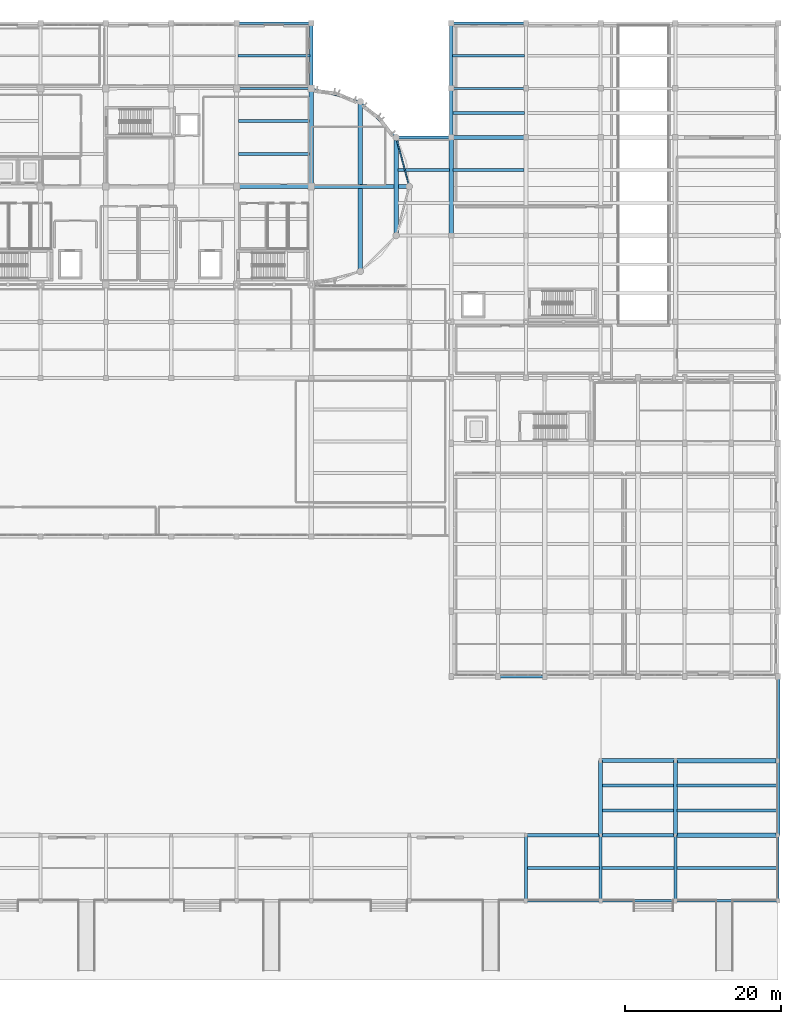
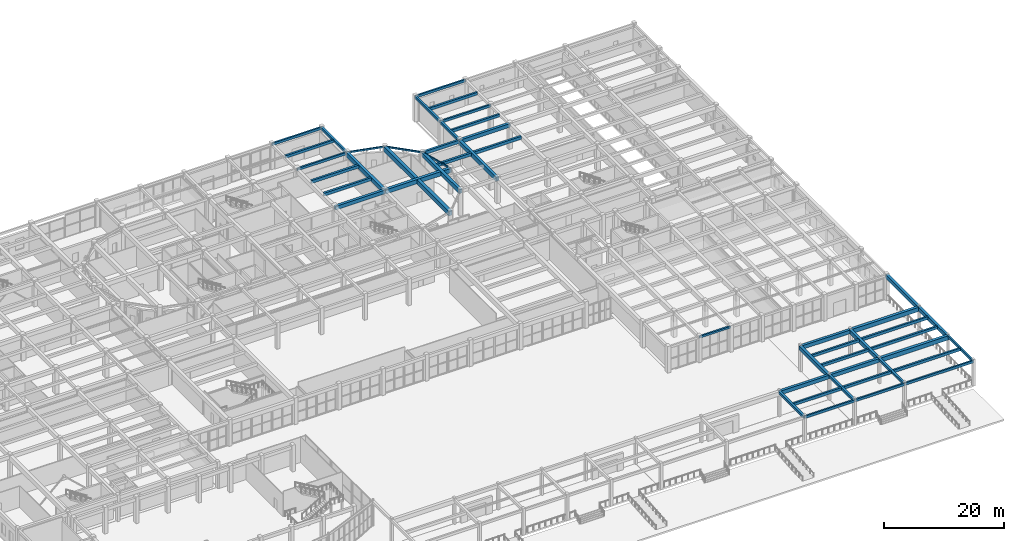
# One storey, part 45 of 98: 49 beams.
"""IFC4 building model written with IfcOpenShell, lengths in metres."""

from ifc_helpers import new_model, si_unit, direction, frame, origin, origin_2d, place, context, subcontext, project, spatial, rectangle, hollow_rectangle, extrude, material, material_profile, profile_set, type_object, element, save


model = new_model("IFC4")

# Units and contexts
model_context = context("Model", 3, precision=1e-05, world=origin(), true_north=direction((0.0, 1.0)))
body_context = subcontext(model_context, "Body", "Model", "MODEL_VIEW")
ifc_project = project(units=[si_unit("LENGTHUNIT", "METRE"), si_unit("AREAUNIT", "SQUARE_METRE"), si_unit("VOLUMEUNIT", "CUBIC_METRE"), si_unit("PLANEANGLEUNIT", "RADIAN"), si_unit("MASSUNIT", "GRAM", prefix="KILO")], contexts=[model_context])

# Site, building, storey
site_placement = place(None, origin())
site = spatial("IfcSite", under=ifc_project, at=site_placement, CompositionType="ELEMENT")
building_placement = place(site_placement, origin())
building = spatial("IfcBuilding", under=site, at=building_placement, Name="Tarnavel Promenade Courthouse", CompositionType="ELEMENT")
storey_placement = place(building_placement, origin())
storey = spatial("IfcBuildingStorey", under=building, at=storey_placement, Name="L01", CompositionType="ELEMENT", Elevation=0.0)

# Beams
ifc_material_1 = material(Name="Concrete C40/50", Category="concrete")
ifc_material_profile_1 = material_profile(ifc_material_1, rectangle(XDim=0.35009765625, YDim=0.550048828125, at=origin_2d()), Name="PT 350x550")
ifc_profile_set_1 = profile_set([ifc_material_profile_1], Name="Concrete C40/50")
beam_type_1 = type_object("IfcBeamType", Name="Concrete C40/50 BM-PT-350x550 (PT 350x550)", PredefinedType="JOIST", material=ifc_profile_set_1)
beam_1_placement = place(storey_placement, frame((129.77001953125, 4.199951171875, 4.860107421875), z_axis=(1.0, 0.0, 0.0), x_axis=(0.0, 1.0, 0.0)))
element("IfcBeam", 1, at=beam_1_placement, inside=storey, type_object=beam_type_1, Name="L01 Secondary Floor Rib 0897", PredefinedType="JOIST", context=body_context, shape_type="SweptSolid", body=[
    extrude(rectangle(XDim=0.35009765625, YDim=0.550048828125, at=origin_2d()), origin(), (0.0, 0.0, 1.0), 9.260009765625),
])
beam_2_placement = place(storey_placement, frame((139.3701171875, 4.199951171875, 4.860107421875), z_axis=(1.0, 0.0, 0.0), x_axis=(0.0, 1.0, 0.0)))
element("IfcBeam", 2, at=beam_2_placement, inside=storey, type_object=beam_type_1, Name="L01 Secondary Floor Rib 0898", PredefinedType="JOIST", context=body_context, shape_type="SweptSolid", body=[
    extrude(rectangle(XDim=0.35009765625, YDim=0.550048828125, at=origin_2d()), origin(), (0.0, 0.0, 1.0), 9.259765625),
])
beam_3_placement = place(storey_placement, frame((148.969970703125, 4.199951171875, 4.860107421875), z_axis=(1.0, 0.0, 0.0), x_axis=(0.0, 1.0, 0.0)))
element("IfcBeam", 3, at=beam_3_placement, inside=storey, type_object=beam_type_1, Name="L01 Secondary Floor Rib 0899", PredefinedType="JOIST", context=body_context, shape_type="SweptSolid", body=[
    extrude(rectangle(XDim=0.35009765625, YDim=0.550048828125, at=origin_2d()), origin(), (0.0, 0.0, 1.0), 12.909912109375),
])
for number, where, z_axis, x_axis, name in (
    (4, (139.419921875, 11.60009765625, 4.860107421875), (1.0, 0.0, 0.0), (0.0, 1.0, 0.0), "L01 Secondary Floor Rib 0900"),
    (5, (139.419921875, 14.800048828125, 4.860107421875), (1.0, 0.0, 0.0), (0.0, 1.0, 0.0), "L01 Secondary Floor Rib 0901"),
):
    element("IfcBeam", number, at=place(storey_placement, frame(where, z_axis=z_axis, x_axis=x_axis)), inside=storey, type_object=beam_type_1, Name=name, PredefinedType="JOIST", context=body_context, shape_type="SweptSolid", body=[
        extrude(rectangle(XDim=0.35009765625, YDim=0.550048828125, at=origin_2d()), origin(), (0.0, 0.0, 1.0), 9.16015625),
    ])
for number, where, z_axis, x_axis, name in (
    (6, (149.02001953125, 11.60009765625, 4.860107421875), (1.0, 0.0, 0.0), (0.0, 1.0, 0.0), "L01 Secondary Floor Rib 0902"),
    (7, (149.02001953125, 14.800048828125, 4.860107421875), (1.0, 0.0, 0.0), (0.0, 1.0, 0.0), "L01 Secondary Floor Rib 0903"),
):
    element("IfcBeam", number, at=place(storey_placement, frame(where, z_axis=z_axis, x_axis=x_axis)), inside=storey, type_object=beam_type_1, Name=name, PredefinedType="JOIST", context=body_context, shape_type="SweptSolid", body=[
        extrude(rectangle(XDim=0.35009765625, YDim=0.550048828125, at=origin_2d()), origin(), (0.0, 0.0, 1.0), 12.760009765625),
    ])
for number, where, z_axis, x_axis, name in (
    (8, (92.570068359375, 108.60009765625, 4.860107421875), (1.0, 0.0, 0.0), (0.0, 1.0, 0.0), "L01 Secondary Floor Rib 1013"),
    (9, (120.169921875, 108.60009765625, 4.860107421875), (1.0, 0.0, 0.0), (0.0, 1.0, 0.0), "L01 Secondary Floor Rib 1014"),
    (10, (120.169921875, 101.25, 4.860107421875), (1.0, 0.0, 0.0), (0.0, 1.0, 0.0), "L01 Secondary Floor Rib 1050"),
):
    element("IfcBeam", number, at=place(storey_placement, frame(where, z_axis=z_axis, x_axis=x_axis)), inside=storey, type_object=beam_type_1, Name=name, PredefinedType="JOIST", context=body_context, shape_type="SweptSolid", body=[
        extrude(rectangle(XDim=0.35009765625, YDim=0.550048828125, at=origin_2d()), origin(), (0.0, 0.0, 1.0), 9.260009765625),
    ])
ifc_material_profile_2 = material_profile(ifc_material_1, rectangle(XDim=0.39990234375, YDim=0.60009765625, at=origin_2d()), Name="PT 400x600")
ifc_profile_set_2 = profile_set([ifc_material_profile_2], Name="Concrete C40/50")
beam_type_2 = type_object("IfcBeamType", Name="Concrete C40/50 BM-PT-400x600 (PT 400x600)", PredefinedType="JOIST", material=ifc_profile_set_2)
beam_4_placement = place(storey_placement, frame((113.156982421875, 93.89990234375, 4.8349609375), z_axis=(1.0, 0.0, 0.0), x_axis=(0.0, 1.0, 0.0)))
element("IfcBeam", 11, at=beam_4_placement, inside=storey, type_object=beam_type_2, Name="L01 Secondary Floor Rib 0972", PredefinedType="JOIST", context=body_context, shape_type="SweptSolid", body=[
    extrude(rectangle(XDim=0.39990234375, YDim=0.60009765625, at=origin_2d()), origin(), (0.0, 0.0, 1.0), 6.597900390625),
])
for number, where, z_axis, x_axis, name in (
    (12, (120.2451171875, 93.89990234375, 4.8349609375), (1.0, 0.0, 0.0), (0.0, 1.0, 0.0), "L01 Secondary Floor Rib 0974"),
    (13, (92.64501953125, 96.0, 4.8349609375), (1.0, 0.0, 0.0), (0.0, 1.0, 0.0), "L01 Secondary Floor Rib 1007"),
    (14, (92.64501953125, 100.199951171875, 4.8349609375), (1.0, 0.0, 0.0), (0.0, 1.0, 0.0), "L01 Secondary Floor Rib 1008"),
):
    element("IfcBeam", number, at=place(storey_placement, frame(where, z_axis=z_axis, x_axis=x_axis)), inside=storey, type_object=beam_type_2, Name=name, PredefinedType="JOIST", context=body_context, shape_type="SweptSolid", body=[
        extrude(rectangle(XDim=0.39990234375, YDim=0.60009765625, at=origin_2d()), origin(), (0.0, 0.0, 1.0), 9.10986328125),
    ])
ifc_material_profile_3 = material_profile(ifc_material_1, rectangle(XDim=0.5, YDim=0.800048828125, at=origin_2d()), Name="PT 500x800")
ifc_profile_set_3 = profile_set([ifc_material_profile_3], Name="Concrete C40/50")
beam_type_3 = type_object("IfcBeamType", Name="Concrete C40/50 BM-PT-500x800 (PT 500x800)", PredefinedType="T_BEAM", material=ifc_profile_set_3)
for number, where, z_axis, x_axis, name in (
    (15, (139.199951171875, 8.39990234375, 4.735107421875), (0.0, 1.0, 0.0), (-1.0, 0.0, 0.0), "L01 Transverse Girder 0857"),
    (16, (148.800048828125, 8.39990234375, 4.735107421875), (0.0, 1.0, 0.0), (-1.0, 0.0, 0.0), "L01 Transverse Girder 0867"),
    (17, (162.0, 8.39990234375, 4.735107421875), (0.0, 1.0, 0.0), (-1.0, 0.0, 0.0), "L01 Transverse Girder 0880"),
):
    element("IfcBeam", number, at=place(storey_placement, frame(where, z_axis=z_axis, x_axis=x_axis)), inside=storey, type_object=beam_type_3, Name=name, PredefinedType="T_BEAM", context=body_context, shape_type="SweptSolid", body=[
        extrude(rectangle(XDim=0.5, YDim=0.800048828125, at=origin_2d()), origin(), (0.0, 0.0, 1.0), 9.60009765625),
    ])
beam_5_placement = place(storey_placement, frame((162.0, 18.0, 4.735107421875), z_axis=(0.0, 1.0, 0.0), x_axis=(-1.0, 0.0, 0.0)))
element("IfcBeam", 18, at=beam_5_placement, inside=storey, type_object=beam_type_3, Name="L01 Transverse Girder 0881", PredefinedType="T_BEAM", context=body_context, shape_type="SweptSolid", body=[
    extrude(rectangle(XDim=0.5, YDim=0.800048828125, at=origin_2d()), origin(), (0.0, 0.0, 1.0), 10.800048828125),
])
ifc_material_profile_4 = material_profile(ifc_material_1, rectangle(XDim=0.550048828125, YDim=0.85009765625, at=origin_2d()), Name="PT 550x850")
ifc_profile_set_4 = profile_set([ifc_material_profile_4], Name="Concrete C40/50")
beam_type_4 = type_object("IfcBeamType", Name="Concrete C40/50 BM-PT-550x850 (PT 550x850)", PredefinedType="T_BEAM", material=ifc_profile_set_4)
for number, where, z_axis, x_axis, name in (
    (19, (148.800048828125, 8.39990234375, 4.7099609375), (1.0, 0.0, 0.0), (0.0, 1.0, 0.0), "L01 Primary Longitudinal Beam 0579"),
    (20, (148.800048828125, 18.0, 4.7099609375), (1.0, 0.0, 0.0), (0.0, 1.0, 0.0), "L01 Primary Longitudinal Beam 0589"),
):
    element("IfcBeam", number, at=place(storey_placement, frame(where, z_axis=z_axis, x_axis=x_axis)), inside=storey, type_object=beam_type_4, Name=name, PredefinedType="T_BEAM", context=body_context, shape_type="SweptSolid", body=[
        extrude(rectangle(XDim=0.550048828125, YDim=0.85009765625, at=origin_2d()), origin(), (0.0, 0.0, 1.0), 13.199951171875),
    ])
beam_6_placement = place(storey_placement, frame((102.0, 91.800048828125, 4.7099609375), z_axis=(1.0, 0.0, 0.0), x_axis=(0.0, 1.0, 0.0)))
element("IfcBeam", 21, at=beam_6_placement, inside=storey, type_object=beam_type_4, Name="L01 Primary Longitudinal Beam 0699", PredefinedType="T_BEAM", context=body_context, shape_type="SweptSolid", body=[
    extrude(rectangle(XDim=0.550048828125, YDim=0.85009765625, at=origin_2d()), origin(), (0.0, 0.0, 1.0), 12.60009765625),
])
beam_7_placement = place(storey_placement, frame((102.0, 91.800048828125, 4.7099609375), z_axis=(0.0, 1.0, 0.0), x_axis=(-1.0, 0.0, 0.0)))
element("IfcBeam", 22, at=beam_7_placement, inside=storey, type_object=beam_type_4, Name="L01 Transverse Girder 0825", PredefinedType="T_BEAM", context=body_context, shape_type="SweptSolid", body=[
    extrude(rectangle(XDim=0.550048828125, YDim=0.85009765625, at=origin_2d()), origin(), (0.0, 0.0, 1.0), 12.599853515625),
])
for number, where, z_axis, x_axis, name in (
    (23, (112.911865234375, 85.5, 4.7099609375), (0.0, 1.0, 0.0), (-1.0, 0.0, 0.0), "L01 Transverse Girder 0828"),
    (24, (120.0, 85.5, 4.7099609375), (0.0, 1.0, 0.0), (-1.0, 0.0, 0.0), "L01 Transverse Girder 0838"),
):
    element("IfcBeam", number, at=place(storey_placement, frame(where, z_axis=z_axis, x_axis=x_axis)), inside=storey, type_object=beam_type_4, Name=name, PredefinedType="T_BEAM", context=body_context, shape_type="SweptSolid", body=[
        extrude(rectangle(XDim=0.550048828125, YDim=0.85009765625, at=origin_2d()), origin(), (0.0, 0.0, 1.0), 12.60009765625),
    ])
ifc_material_profile_5 = material_profile(ifc_material_1, rectangle(XDim=0.60009765625, YDim=0.949951171875, at=origin_2d()), Name="PT 600x950")
ifc_profile_set_5 = profile_set([ifc_material_profile_5], Name="Concrete C40/50")
beam_type_5 = type_object("IfcBeamType", Name="Concrete C40/50 BM-PT-600x950 (PT 600x950)", PredefinedType="T_BEAM", material=ifc_profile_set_5)
beam_8_placement = place(storey_placement, frame((108.300048828125, 80.88818359375, 4.659912109375), z_axis=(0.0, 1.0, 0.0), x_axis=(-1.0, 0.0, 0.0)))
element("IfcBeam", 25, at=beam_8_placement, inside=storey, type_object=beam_type_5, Name="L01 Transverse Girder 0827", PredefinedType="T_BEAM", context=body_context, shape_type="SweptSolid", body=[
    extrude(rectangle(XDim=0.60009765625, YDim=0.949951171875, at=origin_2d()), origin(), (0.0, 0.0, 1.0), 21.82373046875),
])
ifc_material_profile_6 = material_profile(ifc_material_1, rectangle(XDim=0.39990234375, YDim=0.5, at=origin_2d()), Name="RC 400x500")
ifc_profile_set_6 = profile_set([ifc_material_profile_6], Name="Concrete C40/50")
beam_type_6 = type_object("IfcBeamType", Name="Concrete C40/50 BM-RC-400x500 (RC 400x500)", PredefinedType="BEAM", material=ifc_profile_set_6)
beam_9_placement = place(storey_placement, frame((102.0, 104.39990234375, 4.885009765625), z_axis=(0.0, 1.0, 0.0), x_axis=(-1.0, 0.0, 0.0)))
element("IfcBeam", 26, at=beam_9_placement, inside=storey, type_object=beam_type_6, Name="L01 Transverse Girder 0826", PredefinedType="BEAM", context=body_context, shape_type="SweptSolid", body=[
    extrude(rectangle(XDim=0.39990234375, YDim=0.5, at=origin_2d()), origin(), (0.0, 0.0, 1.0), 8.400146484375),
])
beam_10_placement = place(storey_placement, frame((120.0, 98.10009765625, 4.885009765625), z_axis=(0.0, 1.0, 0.0), x_axis=(-1.0, 0.0, 0.0)))
element("IfcBeam", 27, at=beam_10_placement, inside=storey, type_object=beam_type_6, Name="L01 Transverse Girder 0839", PredefinedType="BEAM", context=body_context, shape_type="SweptSolid", body=[
    extrude(rectangle(XDim=0.39990234375, YDim=0.5, at=origin_2d()), origin(), (0.0, 0.0, 1.0), 6.2998046875),
])
beam_11_placement = place(storey_placement, frame((120.0, 104.39990234375, 4.885009765625), z_axis=(0.0, 1.0, 0.0), x_axis=(-1.0, 0.0, 0.0)))
element("IfcBeam", 28, at=beam_11_placement, inside=storey, type_object=beam_type_6, Name="L01 Transverse Girder 0840", PredefinedType="BEAM", context=body_context, shape_type="SweptSolid", body=[
    extrude(rectangle(XDim=0.39990234375, YDim=0.5, at=origin_2d()), origin(), (0.0, 0.0, 1.0), 8.400146484375),
])
for number, where, z_axis, x_axis, name in (
    (29, (129.60009765625, 0.0, 4.885009765625), (0.0, 1.0, 0.0), (-1.0, 0.0, 0.0), "L01 Transverse Girder 0844"),
    (30, (139.199951171875, 0.0, 4.885009765625), (0.0, 1.0, 0.0), (-1.0, 0.0, 0.0), "L01 Transverse Girder 0856"),
    (31, (148.800048828125, 0.0, 4.885009765625), (0.0, 1.0, 0.0), (-1.0, 0.0, 0.0), "L01 Transverse Girder 0866"),
):
    element("IfcBeam", number, at=place(storey_placement, frame(where, z_axis=z_axis, x_axis=x_axis)), inside=storey, type_object=beam_type_6, Name=name, PredefinedType="BEAM", context=body_context, shape_type="SweptSolid", body=[
        extrude(rectangle(XDim=0.39990234375, YDim=0.5, at=origin_2d()), origin(), (0.0, 0.0, 1.0), 8.39990234375),
    ])
ifc_material_profile_7 = material_profile(ifc_material_1, rectangle(XDim=0.39990234375, YDim=0.64990234375, at=origin_2d()), Name="RC 400x650")
ifc_profile_set_7 = profile_set([ifc_material_profile_7], Name="Concrete C40/50")
beam_type_7 = type_object("IfcBeamType", Name="Concrete C40/50 BM-RC-400x650 (RC 400x650)", PredefinedType="BEAM", material=ifc_profile_set_7)
beam_12_placement = place(storey_placement, frame((112.911865234375, 98.10009765625, 4.81005859375), z_axis=(1.0, 0.0, 0.0), x_axis=(0.0, 1.0, 0.0)))
element("IfcBeam", 32, at=beam_12_placement, inside=storey, type_object=beam_type_7, Name="L01 Primary Longitudinal Beam 0706", PredefinedType="BEAM", context=body_context, shape_type="SweptSolid", body=[
    extrude(rectangle(XDim=0.39990234375, YDim=0.64990234375, at=origin_2d()), origin(), (0.0, 0.0, 1.0), 7.088134765625),
])
ifc_material_profile_8 = material_profile(ifc_material_1, rectangle(XDim=0.5, YDim=0.75, at=origin_2d()), Name="RC 500x750")
ifc_profile_set_8 = profile_set([ifc_material_profile_8], Name="Concrete C40/50")
beam_type_8 = type_object("IfcBeamType", Name="Concrete C40/50 BM-RC-500x750 (RC 500x750)", PredefinedType="T_BEAM", material=ifc_profile_set_8)
beam_13_placement = place(storey_placement, frame((129.60009765625, 8.39990234375, 4.760009765625), z_axis=(1.0, 0.0, 0.0), x_axis=(0.0, 1.0, 0.0)))
element("IfcBeam", 33, at=beam_13_placement, inside=storey, type_object=beam_type_8, Name="L01 Primary Longitudinal Beam 0577", PredefinedType="T_BEAM", context=body_context, shape_type="SweptSolid", body=[
    extrude(rectangle(XDim=0.5, YDim=0.75, at=origin_2d()), origin(), (0.0, 0.0, 1.0), 9.599853515625),
])
for number, where, z_axis, x_axis, name in (
    (34, (139.199951171875, 8.39990234375, 4.760009765625), (1.0, 0.0, 0.0), (0.0, 1.0, 0.0), "L01 Primary Longitudinal Beam 0578"),
    (35, (139.199951171875, 18.0, 4.760009765625), (1.0, 0.0, 0.0), (0.0, 1.0, 0.0), "L01 Primary Longitudinal Beam 0588"),
    (36, (92.39990234375, 91.800048828125, 4.760009765625), (1.0, 0.0, 0.0), (0.0, 1.0, 0.0), "L01 Primary Longitudinal Beam 0698"),
    (37, (120.0, 98.10009765625, 4.760009765625), (1.0, 0.0, 0.0), (0.0, 1.0, 0.0), "L01 Primary Longitudinal Beam 0707"),
):
    element("IfcBeam", number, at=place(storey_placement, frame(where, z_axis=z_axis, x_axis=x_axis)), inside=storey, type_object=beam_type_8, Name=name, PredefinedType="T_BEAM", context=body_context, shape_type="SweptSolid", body=[
        extrude(rectangle(XDim=0.5, YDim=0.75, at=origin_2d()), origin(), (0.0, 0.0, 1.0), 9.60009765625),
    ])
ifc_material_profile_9 = material_profile(ifc_material_1, rectangle(XDim=0.300048828125, YDim=0.39990234375, at=origin_2d()), Name="RC 300x400")
ifc_profile_set_9 = profile_set([ifc_material_profile_9], Name="Concrete C40/50")
beam_type_9 = type_object("IfcBeamType", Name="Concrete C40/50 BM-SP-300x400 (RC 300x400)", PredefinedType="SPANDREL", material=ifc_profile_set_9)
beam_14_placement = place(storey_placement, frame((126.0, 28.800048828125, 4.93505859375), z_axis=(1.0, 0.0, 0.0), x_axis=(0.0, 1.0, 0.0)))
element("IfcBeam", 38, at=beam_14_placement, inside=storey, type_object=beam_type_9, Name="L01 Primary Longitudinal Beam 0592", PredefinedType="SPANDREL", context=body_context, shape_type="SweptSolid", body=[
    extrude(rectangle(XDim=0.300048828125, YDim=0.39990234375, at=origin_2d()), origin(), (0.0, 0.0, 1.0), 6.0),
])
ifc_material_profile_10 = material_profile(ifc_material_1, rectangle(XDim=0.300048828125, YDim=0.5, at=origin_2d()), Name="RC 300x500")
ifc_profile_set_10 = profile_set([ifc_material_profile_10], Name="Concrete C40/50")
beam_type_10 = type_object("IfcBeamType", Name="Concrete C40/50 BM-SP-300x500 (RC 300x500)", PredefinedType="SPANDREL", material=ifc_profile_set_10)
beam_15_placement = place(storey_placement, frame((129.60009765625, 0.0, 4.885009765625), z_axis=(1.0, 0.0, 0.0), x_axis=(0.0, 1.0, 0.0)))
element("IfcBeam", 39, at=beam_15_placement, inside=storey, type_object=beam_type_10, Name="L01 Primary Longitudinal Beam 0566", PredefinedType="SPANDREL", context=body_context, shape_type="SweptSolid", body=[
    extrude(rectangle(XDim=0.300048828125, YDim=0.5, at=origin_2d()), origin(), (0.0, 0.0, 1.0), 9.599853515625),
])
beam_16_placement = place(storey_placement, frame((139.199951171875, 0.0, 4.885009765625), z_axis=(1.0, 0.0, 0.0), x_axis=(0.0, 1.0, 0.0)))
element("IfcBeam", 40, at=beam_16_placement, inside=storey, type_object=beam_type_10, Name="L01 Primary Longitudinal Beam 0567", PredefinedType="SPANDREL", context=body_context, shape_type="SweptSolid", body=[
    extrude(rectangle(XDim=0.300048828125, YDim=0.5, at=origin_2d()), origin(), (0.0, 0.0, 1.0), 9.60009765625),
])
beam_17_placement = place(storey_placement, frame((148.800048828125, 0.0, 4.885009765625), z_axis=(1.0, 0.0, 0.0), x_axis=(0.0, 1.0, 0.0)))
element("IfcBeam", 41, at=beam_17_placement, inside=storey, type_object=beam_type_10, Name="L01 Primary Longitudinal Beam 0568", PredefinedType="SPANDREL", context=body_context, shape_type="SweptSolid", body=[
    extrude(rectangle(XDim=0.300048828125, YDim=0.5, at=origin_2d()), origin(), (0.0, 0.0, 1.0), 13.199951171875),
])
for number, where, z_axis, x_axis, name in (
    (42, (92.39990234375, 104.39990234375, 4.885009765625), (1.0, 0.0, 0.0), (0.0, 1.0, 0.0), "L01 Primary Longitudinal Beam 0715"),
    (43, (120.0, 104.39990234375, 4.885009765625), (1.0, 0.0, 0.0), (0.0, 1.0, 0.0), "L01 Primary Longitudinal Beam 0716"),
    (44, (92.39990234375, 112.800048828125, 4.885009765625), (1.0, 0.0, 0.0), (0.0, 1.0, 0.0), "L01 Primary Longitudinal Beam 0730"),
    (45, (120.0, 112.800048828125, 4.885009765625), (1.0, 0.0, 0.0), (0.0, 1.0, 0.0), "L01 Primary Longitudinal Beam 0731"),
):
    element("IfcBeam", number, at=place(storey_placement, frame(where, z_axis=z_axis, x_axis=x_axis)), inside=storey, type_object=beam_type_10, Name=name, PredefinedType="SPANDREL", context=body_context, shape_type="SweptSolid", body=[
        extrude(rectangle(XDim=0.300048828125, YDim=0.5, at=origin_2d()), origin(), (0.0, 0.0, 1.0), 9.60009765625),
    ])
beam_18_placement = place(storey_placement, frame((162.0, 0.0, 4.885009765625), z_axis=(0.0, 1.0, 0.0), x_axis=(-1.0, 0.0, 0.0)))
element("IfcBeam", 46, at=beam_18_placement, inside=storey, type_object=beam_type_10, Name="L01 Transverse Girder 0879", PredefinedType="SPANDREL", context=body_context, shape_type="SweptSolid", body=[
    extrude(rectangle(XDim=0.300048828125, YDim=0.5, at=origin_2d()), origin(), (0.0, 0.0, 1.0), 8.39990234375),
])
ifc_material_2 = material(Name="Steel S355J2", Category="steel")
ifc_material_profile_11 = material_profile(ifc_material_2, hollow_rectangle(XDim=0.199951171875, YDim=0.35009765625, WallThickness=0.012451171875, InnerFilletRadius=0.012451171875, OuterFilletRadius=0.02490234375, at=origin_2d()), Name="RHS 350x200x12.5")
ifc_profile_set_11 = profile_set([ifc_material_profile_11], Name="Steel S355J2")
beam_type_11 = type_object("IfcBeamType", Name="Steel S355J2 BM-ST-RHS350 (RHS 350x200x12.5)", PredefinedType="SPANDREL", material=ifc_profile_set_11)
beam_19_placement = place(storey_placement, frame((114.60009765625, 91.800048828125, 4.9599609375), z_axis=(-0.258838989821, 0.965920481897, 0.0), x_axis=(-0.965920481897, -0.258838989821, 0.0)))
element("IfcBeam", 47, at=beam_19_placement, inside=storey, type_object=beam_type_11, Name="L01 Drum Ring Spandrel 1063", PredefinedType="SPANDREL", context=body_context, shape_type="SweptSolid", body=[
    extrude(hollow_rectangle(XDim=0.199951171875, YDim=0.35009765625, WallThickness=0.012451171875, InnerFilletRadius=0.012451171875, OuterFilletRadius=0.02490234375, at=origin_2d()), origin(), (0.0, 0.0, 1.0), 6.522216796875),
])
beam_20_placement = place(storey_placement, frame((112.911865234375, 98.10009765625, 4.9599609375), z_axis=(-0.707106781187, 0.707106781187, 0.0), x_axis=(-0.707106781187, -0.707106781187, 0.0)))
element("IfcBeam", 48, at=beam_20_placement, inside=storey, type_object=beam_type_11, Name="L01 Drum Ring Spandrel 1064", PredefinedType="SPANDREL", context=body_context, shape_type="SweptSolid", body=[
    extrude(hollow_rectangle(XDim=0.199951171875, YDim=0.35009765625, WallThickness=0.012451171875, InnerFilletRadius=0.012451171875, OuterFilletRadius=0.02490234375, at=origin_2d()), origin(), (0.0, 0.0, 1.0), 6.52197265625),
])
beam_21_placement = place(storey_placement, frame((108.300048828125, 102.7119140625, 4.9599609375), z_axis=(-0.965929839907, 0.258804065612, 0.0), x_axis=(-0.258804065612, -0.965929839907, 0.0)))
element("IfcBeam", 49, at=beam_21_placement, inside=storey, type_object=beam_type_11, Name="L01 Drum Ring Spandrel 1065", PredefinedType="SPANDREL", context=body_context, shape_type="SweptSolid", body=[
    extrude(hollow_rectangle(XDim=0.199951171875, YDim=0.35009765625, WallThickness=0.012451171875, InnerFilletRadius=0.012451171875, OuterFilletRadius=0.02490234375, at=origin_2d()), origin(), (0.0, 0.0, 1.0), 6.522216796875),
])

save(model, "model.ifc")
